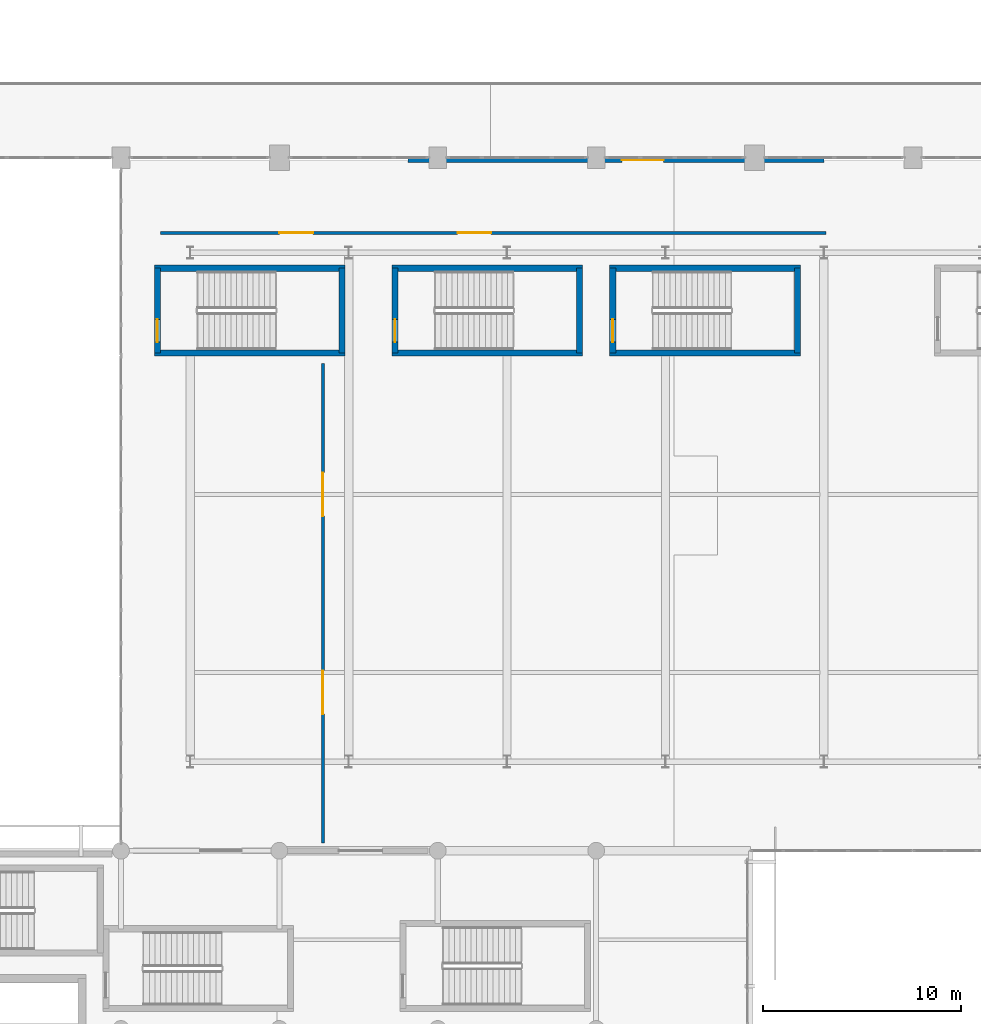
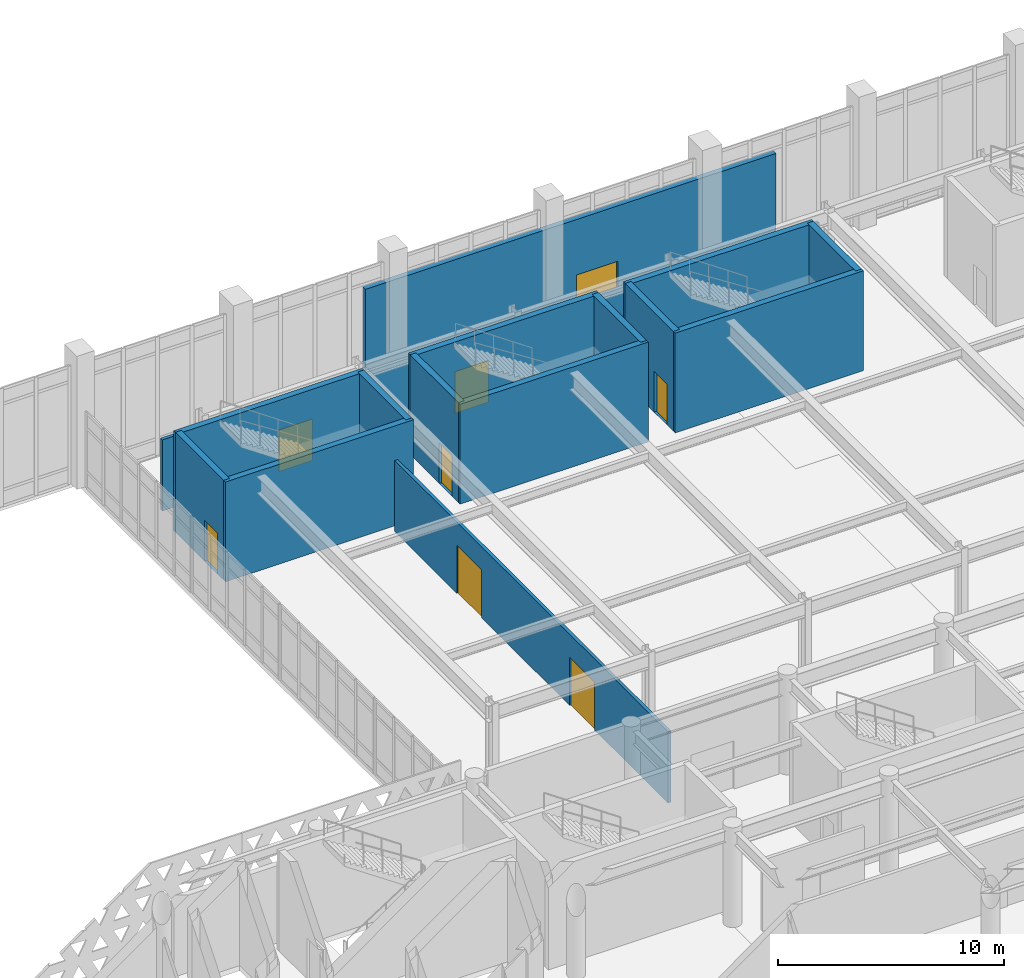
# One storey, part 65 of 84: 15 walls, 8 doors, 8 openings.
"""IFC4 building model written with IfcOpenShell, lengths in metres."""

from ifc_helpers import new_model, si_unit, direction, frame, frame_2d, origin, place, context, subcontext, project, spatial, rectangle, extrude, material, layer, layer_set, type_object, element, fill, save


model = new_model("IFC4")

# Units and contexts
model_context = context("Model", 3, precision=1e-05, world=origin(), true_north=direction((0.0, 1.0)))
body_context = subcontext(model_context, "Body", "Model", "MODEL_VIEW")
ifc_project = project(units=[si_unit("LENGTHUNIT", "METRE"), si_unit("AREAUNIT", "SQUARE_METRE"), si_unit("VOLUMEUNIT", "CUBIC_METRE"), si_unit("PLANEANGLEUNIT", "RADIAN"), si_unit("MASSUNIT", "GRAM", prefix="KILO")], contexts=[model_context])

# Site, building, storey
site_placement = place(None, origin())
site = spatial("IfcSite", under=ifc_project, at=site_placement, CompositionType="ELEMENT")
building_placement = place(site_placement, origin())
building = spatial("IfcBuilding", under=site, at=building_placement, Name="Tlacozan Convention Centre", CompositionType="ELEMENT")
storey_placement = place(building_placement, frame((0.0, 0.0, 6.0)))
storey = spatial("IfcBuildingStorey", under=building, at=storey_placement, Name="L01", CompositionType="ELEMENT", Elevation=6.0)

# Wall, opening, door
ifc_material_1 = material(Name="Concrete C40/50", Category="concrete")
ifc_layer_1 = layer(ifc_material_1, 0.260009765625)
ifc_layer_set_1 = layer_set([ifc_layer_1], Name="Concrete C40/50")
wall_type_1 = type_object("IfcWallType", Name="Compartment Rated Wall RC 260", PredefinedType="SOLIDWALL", material=ifc_layer_set_1)
wall_1_placement = place(storey_placement, frame((102.5, 61.89990234375, 0.0), z_axis=(0.0, 0.0, 1.0), x_axis=(1.0, 0.0, 0.0)))
wall_1 = element("IfcWall", 1, at=wall_1_placement, inside=storey, type_object=wall_type_1, Name="L01 Compartment Rated Wall RC 260 631", PredefinedType="SOLIDWALL", context=body_context, shape_type="SweptSolid", body=[
    extrude(rectangle(XDim=21.0, YDim=0.260009765625, at=frame_2d((10.5, 0.0))), origin(), (0.0, 0.0, 1.0), 5.39990234375),
])
opening_1_placement = place(wall_1_placement, frame((10.800048828125, 0.0, 0.0)))
opening_1 = element("IfcOpeningElement", 2, at=opening_1_placement, cuts=wall_1, Name="Opening FD-04", PredefinedType="OPENING", context=body_context, shape_type="SweptSolid", body=[
    extrude(rectangle(XDim=2.10009765625, YDim=2.39990234375, at=frame_2d((1.050048828125, 1.199951171875))), frame((0.0, 0.139892578125, 0.0), z_axis=(0.0, -1.0, 0.0), x_axis=(1.0, 0.0, 0.0)), (0.0, 0.0, 1.0), 0.280029296875),
])
ifc_material_2 = material(Name="Fire-Rated Insulated Steel Door Leaf", Category="steel")
door_type_1 = type_object("IfcDoorType", Name="Fire Door Compartment Double 2100x2400 FD90", OperationType="DOUBLE_DOOR_SINGLE_SWING", PredefinedType="DOOR", material=ifc_material_2)
door_1_placement = place(opening_1_placement, origin())
door_1 = element("IfcDoor", 3, at=door_1_placement, inside=storey, type_object=door_type_1, Name="L01 Fire Door Compartment Double 2100x2400 FD90 234", OperationType="DOUBLE_DOOR_SINGLE_SWING", OverallHeight=2.39990234375, OverallWidth=2.10009765625, PredefinedType="DOOR", context=body_context, shape_type="SweptSolid", body=[
    extrude(rectangle(XDim=2.10009765625, YDim=2.39990234375, at=frame_2d((1.050048828125, 1.199951171875))), frame((0.0, 0.02490234375, 0.0), z_axis=(0.0, -1.0, 0.0), x_axis=(1.0, 0.0, 0.0)), (0.0, 0.0, 1.0), 0.050048828125),
])
fill(opening_1, door_1)

# Wall, openings, doors
ifc_material_3 = material(Name="Acoustic Double-Stud Partition Assembly")
ifc_layer_2 = layer(ifc_material_3, 0.159912109375)
ifc_layer_set_2 = layer_set([ifc_layer_2], Name="Acoustic Double-Stud Partition Assembly")
wall_type_2 = type_object("IfcWallType", Name="Meeting Acoustic Partition 160", PredefinedType="PARTITIONING", material=ifc_layer_set_2)
wall_2_placement = place(storey_placement, frame((98.199951171875, 27.39990234375, 0.0), z_axis=(0.0, 0.0, 1.0), x_axis=(0.0, 1.0, 0.0)))
wall_2 = element("IfcWall", 4, at=wall_2_placement, inside=storey, type_object=wall_type_2, Name="L01 Meeting Acoustic Partition 160 618", PredefinedType="PARTITIONING", context=body_context, shape_type="SweptSolid", body=[
    extrude(rectangle(XDim=24.2001953125, YDim=0.159912109375, at=frame_2d((12.10009765625, 0.0))), origin(), (0.0, 0.0, 1.0), 3.85009765625),
])
opening_2_placement = place(wall_2_placement, frame((6.5, 0.0, 0.0)))
opening_2 = element("IfcOpeningElement", 5, at=opening_2_placement, cuts=wall_2, Name="Opening ID-08", PredefinedType="OPENING", context=body_context, shape_type="SweptSolid", body=[
    extrude(rectangle(XDim=2.199951171875, YDim=2.60009765625, at=frame_2d((1.10009765625, 1.300048828125))), frame((0.0, 0.08984375, 0.0), z_axis=(0.0, -1.0, 0.0), x_axis=(1.0, 0.0, 0.0)), (0.0, 0.0, 1.0), 0.179931640625),
])
opening_3_placement = place(wall_2_placement, frame((16.5, 0.0, 0.0)))
opening_3 = element("IfcOpeningElement", 6, at=opening_3_placement, cuts=wall_2, Name="Opening ID-08", PredefinedType="OPENING", context=body_context, shape_type="SweptSolid", body=[
    extrude(rectangle(XDim=2.199951171875, YDim=2.60009765625, at=frame_2d((1.10009765625, 1.300048828125))), frame((0.0, 0.08984375, 0.0), z_axis=(0.0, -1.0, 0.0), x_axis=(1.0, 0.0, 0.0)), (0.0, 0.0, 1.0), 0.179931640625),
])
ifc_material_4 = material(Name="Acoustic Solid-Core Oak Veneer Door")
door_type_2 = type_object("IfcDoorType", Name="Ballroom Acoustic Double Door 2200x2600", OperationType="DOUBLE_DOOR_SINGLE_SWING", PredefinedType="DOOR", material=ifc_material_4)
door_2_placement = place(opening_2_placement, origin())
door_2 = element("IfcDoor", 7, at=door_2_placement, inside=storey, type_object=door_type_2, Name="L01 Ballroom Acoustic Double Door 2200x2600 213", OperationType="DOUBLE_DOOR_SINGLE_SWING", OverallHeight=2.60009765625, OverallWidth=2.199951171875, PredefinedType="DOOR", context=body_context, shape_type="SweptSolid", body=[
    extrude(rectangle(XDim=2.199951171875, YDim=2.60009765625, at=frame_2d((1.10009765625, 1.300048828125))), frame((0.0, 0.02490234375, 0.0), z_axis=(0.0, -1.0, 0.0), x_axis=(1.0, 0.0, 0.0)), (0.0, 0.0, 1.0), 0.050048828125),
])
fill(opening_2, door_2)
door_3_placement = place(opening_3_placement, origin())
door_3 = element("IfcDoor", 8, at=door_3_placement, inside=storey, type_object=door_type_2, Name="L01 Ballroom Acoustic Double Door 2200x2600 214", OperationType="DOUBLE_DOOR_SINGLE_SWING", OverallHeight=2.60009765625, OverallWidth=2.199951171875, PredefinedType="DOOR", context=body_context, shape_type="SweptSolid", body=[
    extrude(rectangle(XDim=2.199951171875, YDim=2.60009765625, at=frame_2d((1.10009765625, 1.300048828125))), frame((0.0, 0.02490234375, 0.0), z_axis=(0.0, -1.0, 0.0), x_axis=(1.0, 0.0, 0.0)), (0.0, 0.0, 1.0), 0.050048828125),
])
fill(opening_3, door_3)

wall_3_placement = place(storey_placement, frame((90.0, 58.199951171875, 0.0), z_axis=(0.0, 0.0, 1.0), x_axis=(1.0, 0.0, 0.0)))
wall_3 = element("IfcWall", 9, at=wall_3_placement, inside=storey, type_object=wall_type_2, Name="L01 Meeting Acoustic Partition 160 619", PredefinedType="PARTITIONING", context=body_context, shape_type="SweptSolid", body=[
    extrude(rectangle(XDim=33.60009765625, YDim=0.159912109375, at=frame_2d((16.800048828125, 0.0))), origin(), (0.0, 0.0, 1.0), 3.85009765625),
])
opening_4_placement = place(wall_3_placement, frame((6.0, 0.0, 0.0)))
opening_4 = element("IfcOpeningElement", 10, at=opening_4_placement, cuts=wall_3, Name="Opening ID-11", PredefinedType="OPENING", context=body_context, shape_type="SweptSolid", body=[
    extrude(rectangle(XDim=1.699951171875, YDim=2.25, at=frame_2d((0.85009765625, 1.125))), frame((0.0, 0.08984375, 0.0), z_axis=(0.0, -1.0, 0.0), x_axis=(1.0, 0.0, 0.0)), (0.0, 0.0, 1.0), 0.179931640625),
])
opening_5_placement = place(wall_3_placement, frame((15.0, 0.0, 0.0)))
opening_5 = element("IfcOpeningElement", 11, at=opening_5_placement, cuts=wall_3, Name="Opening ID-11", PredefinedType="OPENING", context=body_context, shape_type="SweptSolid", body=[
    extrude(rectangle(XDim=1.699951171875, YDim=2.25, at=frame_2d((0.85009765625, 1.125))), frame((0.0, 0.08984375, 0.0), z_axis=(0.0, -1.0, 0.0), x_axis=(1.0, 0.0, 0.0)), (0.0, 0.0, 1.0), 0.179931640625),
])
door_type_3 = type_object("IfcDoorType", Name="Banquet Kitchen Double Swing Door 1700x2250", OperationType="DOUBLE_SWING_LEFT", PredefinedType="DOOR", material=ifc_material_4)
door_4_placement = place(opening_4_placement, origin())
door_4 = element("IfcDoor", 12, at=door_4_placement, inside=storey, type_object=door_type_3, Name="L01 Banquet Kitchen Double Swing Door 1700x2250 215", OperationType="DOUBLE_SWING_LEFT", OverallHeight=2.25, OverallWidth=1.699951171875, PredefinedType="DOOR", context=body_context, shape_type="SweptSolid", body=[
    extrude(rectangle(XDim=1.699951171875, YDim=2.25, at=frame_2d((0.85009765625, 1.125))), frame((0.0, 0.02490234375, 0.0), z_axis=(0.0, -1.0, 0.0), x_axis=(1.0, 0.0, 0.0)), (0.0, 0.0, 1.0), 0.050048828125),
])
fill(opening_4, door_4)
door_5_placement = place(opening_5_placement, origin())
door_5 = element("IfcDoor", 13, at=door_5_placement, inside=storey, type_object=door_type_3, Name="L01 Banquet Kitchen Double Swing Door 1700x2250 216", OperationType="DOUBLE_SWING_LEFT", OverallHeight=2.25, OverallWidth=1.699951171875, PredefinedType="DOOR", context=body_context, shape_type="SweptSolid", body=[
    extrude(rectangle(XDim=1.699951171875, YDim=2.25, at=frame_2d((0.85009765625, 1.125))), frame((0.0, 0.02490234375, 0.0), z_axis=(0.0, -1.0, 0.0), x_axis=(1.0, 0.0, 0.0)), (0.0, 0.0, 1.0), 0.050048828125),
])
fill(opening_5, door_5)

# Walls
ifc_layer_3 = layer(ifc_material_1, 0.31005859375)
ifc_layer_set_3 = layer_set([ifc_layer_3], Name="Concrete C40/50")
wall_type_3 = type_object("IfcWallType", Name="Stair Shaft Shear Wall RC 310", PredefinedType="SHEAR", material=ifc_layer_set_3)
for number, where, z_axis, x_axis, name in (
    (14, (89.68505859375, 52.139892578125, 0.0), (0.0, 0.0, 1.0), (1.0, 0.0, 0.0), "L01 Stair Shaft Shear Wall RC 310 385"),
    (15, (89.68505859375, 56.419921875, 0.0), (0.0, 0.0, 1.0), (1.0, 0.0, 0.0), "L01 Stair Shaft Shear Wall RC 310 386"),
):
    element("IfcWall", number, at=place(storey_placement, frame(where, z_axis=z_axis, x_axis=x_axis)), inside=storey, type_object=wall_type_3, Name=name, PredefinedType="SHEAR", context=body_context, shape_type="SweptSolid", body=[
        extrude(rectangle(XDim=9.6298828125, YDim=0.31005859375, at=frame_2d((4.81494140625, 0.0))), origin(), (0.0, 0.0, 1.0), 5.39990234375),
    ])

# Wall, opening, door
wall_4_placement = place(storey_placement, frame((89.840087890625, 52.139892578125, 0.0), z_axis=(0.0, 0.0, 1.0), x_axis=(0.0, 1.0, 0.0)))
wall_4 = element("IfcWall", 16, at=wall_4_placement, inside=storey, type_object=wall_type_3, Name="L01 Stair Shaft Shear Wall RC 310 387", PredefinedType="SHEAR", context=body_context, shape_type="SweptSolid", body=[
    extrude(rectangle(XDim=4.280029296875, YDim=0.31005859375, at=frame_2d((2.14013671875, 0.0))), origin(), (0.0, 0.0, 1.0), 5.39990234375),
])
opening_6_placement = place(wall_4_placement, frame((0.550048828125, 0.0, 0.0)))
opening_6 = element("IfcOpeningElement", 17, at=opening_6_placement, cuts=wall_4, Name="Opening FD-02", PredefinedType="OPENING", context=body_context, shape_type="SweptSolid", body=[
    extrude(rectangle(XDim=1.14990234375, YDim=2.199951171875, at=frame_2d((0.574951171875, 1.10009765625))), frame((0.0, 0.1650390625, 0.0), z_axis=(0.0, -1.0, 0.0), x_axis=(1.0, 0.0, 0.0)), (0.0, 0.0, 1.0), 0.330078125),
])
door_type_4 = type_object("IfcDoorType", Name="Fire Door Stair 1150x2200 FD90", OperationType="NOTDEFINED", PredefinedType="DOOR", material=ifc_material_2)
door_6_placement = place(opening_6_placement, origin())
door_6 = element("IfcDoor", 18, at=door_6_placement, inside=storey, type_object=door_type_4, Name="L01 Stair ST-06 Access Door", OperationType="SINGLE_SWING_LEFT", OverallHeight=2.199951171875, OverallWidth=1.14990234375, PredefinedType="DOOR", context=body_context, shape_type="SweptSolid", body=[
    extrude(rectangle(XDim=1.14990234375, YDim=2.199951171875, at=frame_2d((0.574951171875, 1.10009765625))), frame((0.0, 0.02490234375, 0.0), z_axis=(0.0, -1.0, 0.0), x_axis=(1.0, 0.0, 0.0)), (0.0, 0.0, 1.0), 0.050048828125),
])
fill(opening_6, door_6)

# Walls
wall_5_placement = place(storey_placement, frame((99.159912109375, 52.139892578125, 0.0), z_axis=(0.0, 0.0, 1.0), x_axis=(0.0, 1.0, 0.0)))
element("IfcWall", 19, at=wall_5_placement, inside=storey, type_object=wall_type_3, Name="L01 Stair Shaft Shear Wall RC 310 388", PredefinedType="SHEAR", context=body_context, shape_type="SweptSolid", body=[
    extrude(rectangle(XDim=4.280029296875, YDim=0.31005859375, at=frame_2d((2.14013671875, 0.0))), origin(), (0.0, 0.0, 1.0), 5.39990234375),
])
for number, where, z_axis, x_axis, name in (
    (20, (101.68505859375, 52.139892578125, 0.0), (0.0, 0.0, 1.0), (1.0, 0.0, 0.0), "L01 Stair Shaft Shear Wall RC 310 405"),
    (21, (101.68505859375, 56.419921875, 0.0), (0.0, 0.0, 1.0), (1.0, 0.0, 0.0), "L01 Stair Shaft Shear Wall RC 310 406"),
):
    element("IfcWall", number, at=place(storey_placement, frame(where, z_axis=z_axis, x_axis=x_axis)), inside=storey, type_object=wall_type_3, Name=name, PredefinedType="SHEAR", context=body_context, shape_type="SweptSolid", body=[
        extrude(rectangle(XDim=9.6298828125, YDim=0.31005859375, at=frame_2d((4.81494140625, 0.0))), origin(), (0.0, 0.0, 1.0), 5.39990234375),
    ])

# Wall, opening, door
wall_6_placement = place(storey_placement, frame((101.840087890625, 52.139892578125, 0.0), z_axis=(0.0, 0.0, 1.0), x_axis=(0.0, 1.0, 0.0)))
wall_6 = element("IfcWall", 22, at=wall_6_placement, inside=storey, type_object=wall_type_3, Name="L01 Stair Shaft Shear Wall RC 310 407", PredefinedType="SHEAR", context=body_context, shape_type="SweptSolid", body=[
    extrude(rectangle(XDim=4.280029296875, YDim=0.31005859375, at=frame_2d((2.14013671875, 0.0))), origin(), (0.0, 0.0, 1.0), 5.39990234375),
])
opening_7_placement = place(wall_6_placement, frame((0.550048828125, 0.0, 0.0)))
opening_7 = element("IfcOpeningElement", 23, at=opening_7_placement, cuts=wall_6, Name="Opening FD-02", PredefinedType="OPENING", context=body_context, shape_type="SweptSolid", body=[
    extrude(rectangle(XDim=1.14990234375, YDim=2.199951171875, at=frame_2d((0.574951171875, 1.10009765625))), frame((0.0, 0.1650390625, 0.0), z_axis=(0.0, -1.0, 0.0), x_axis=(1.0, 0.0, 0.0)), (0.0, 0.0, 1.0), 0.330078125),
])
door_7_placement = place(opening_7_placement, origin())
door_7 = element("IfcDoor", 24, at=door_7_placement, inside=storey, type_object=door_type_4, Name="L01 Stair ST-17 Access Door", OperationType="SINGLE_SWING_RIGHT", OverallHeight=2.199951171875, OverallWidth=1.14990234375, PredefinedType="DOOR", context=body_context, shape_type="SweptSolid", body=[
    extrude(rectangle(XDim=1.14990234375, YDim=2.199951171875, at=frame_2d((0.574951171875, 1.10009765625))), frame((0.0, 0.02490234375, 0.0), z_axis=(0.0, -1.0, 0.0), x_axis=(1.0, 0.0, 0.0)), (0.0, 0.0, 1.0), 0.050048828125),
])
fill(opening_7, door_7)

# Walls
wall_7_placement = place(storey_placement, frame((111.159912109375, 52.139892578125, 0.0), z_axis=(0.0, 0.0, 1.0), x_axis=(0.0, 1.0, 0.0)))
element("IfcWall", 25, at=wall_7_placement, inside=storey, type_object=wall_type_3, Name="L01 Stair Shaft Shear Wall RC 310 408", PredefinedType="SHEAR", context=body_context, shape_type="SweptSolid", body=[
    extrude(rectangle(XDim=4.280029296875, YDim=0.31005859375, at=frame_2d((2.14013671875, 0.0))), origin(), (0.0, 0.0, 1.0), 5.39990234375),
])
for number, where, z_axis, x_axis, name in (
    (26, (112.68505859375, 52.139892578125, 0.0), (0.0, 0.0, 1.0), (1.0, 0.0, 0.0), "L01 Stair Shaft Shear Wall RC 310 425"),
    (27, (112.68505859375, 56.419921875, 0.0), (0.0, 0.0, 1.0), (1.0, 0.0, 0.0), "L01 Stair Shaft Shear Wall RC 310 426"),
):
    element("IfcWall", number, at=place(storey_placement, frame(where, z_axis=z_axis, x_axis=x_axis)), inside=storey, type_object=wall_type_3, Name=name, PredefinedType="SHEAR", context=body_context, shape_type="SweptSolid", body=[
        extrude(rectangle(XDim=9.6298828125, YDim=0.31005859375, at=frame_2d((4.81494140625, 0.0))), origin(), (0.0, 0.0, 1.0), 5.39990234375),
    ])

# Wall, opening, door
wall_8_placement = place(storey_placement, frame((112.840087890625, 52.139892578125, 0.0), z_axis=(0.0, 0.0, 1.0), x_axis=(0.0, 1.0, 0.0)))
wall_8 = element("IfcWall", 28, at=wall_8_placement, inside=storey, type_object=wall_type_3, Name="L01 Stair Shaft Shear Wall RC 310 427", PredefinedType="SHEAR", context=body_context, shape_type="SweptSolid", body=[
    extrude(rectangle(XDim=4.280029296875, YDim=0.31005859375, at=frame_2d((2.14013671875, 0.0))), origin(), (0.0, 0.0, 1.0), 5.39990234375),
])
opening_8_placement = place(wall_8_placement, frame((0.550048828125, 0.0, 0.0)))
opening_8 = element("IfcOpeningElement", 29, at=opening_8_placement, cuts=wall_8, Name="Opening FD-02", PredefinedType="OPENING", context=body_context, shape_type="SweptSolid", body=[
    extrude(rectangle(XDim=1.14990234375, YDim=2.199951171875, at=frame_2d((0.574951171875, 1.10009765625))), frame((0.0, 0.1650390625, 0.0), z_axis=(0.0, -1.0, 0.0), x_axis=(1.0, 0.0, 0.0)), (0.0, 0.0, 1.0), 0.330078125),
])
door_8_placement = place(opening_8_placement, origin())
door_8 = element("IfcDoor", 30, at=door_8_placement, inside=storey, type_object=door_type_4, Name="L01 Stair ST-18 Access Door", OperationType="SINGLE_SWING_LEFT", OverallHeight=2.199951171875, OverallWidth=1.14990234375, PredefinedType="DOOR", context=body_context, shape_type="SweptSolid", body=[
    extrude(rectangle(XDim=1.14990234375, YDim=2.199951171875, at=frame_2d((0.574951171875, 1.10009765625))), frame((0.0, 0.02490234375, 0.0), z_axis=(0.0, -1.0, 0.0), x_axis=(1.0, 0.0, 0.0)), (0.0, 0.0, 1.0), 0.050048828125),
])
fill(opening_8, door_8)

# Wall
wall_9_placement = place(storey_placement, frame((122.159912109375, 52.139892578125, 0.0), z_axis=(0.0, 0.0, 1.0), x_axis=(0.0, 1.0, 0.0)))
element("IfcWall", 31, at=wall_9_placement, inside=storey, type_object=wall_type_3, Name="L01 Stair Shaft Shear Wall RC 310 428", PredefinedType="SHEAR", context=body_context, shape_type="SweptSolid", body=[
    extrude(rectangle(XDim=4.280029296875, YDim=0.31005859375, at=frame_2d((2.14013671875, 0.0))), origin(), (0.0, 0.0, 1.0), 5.39990234375),
])

save(model, "model.ifc")
